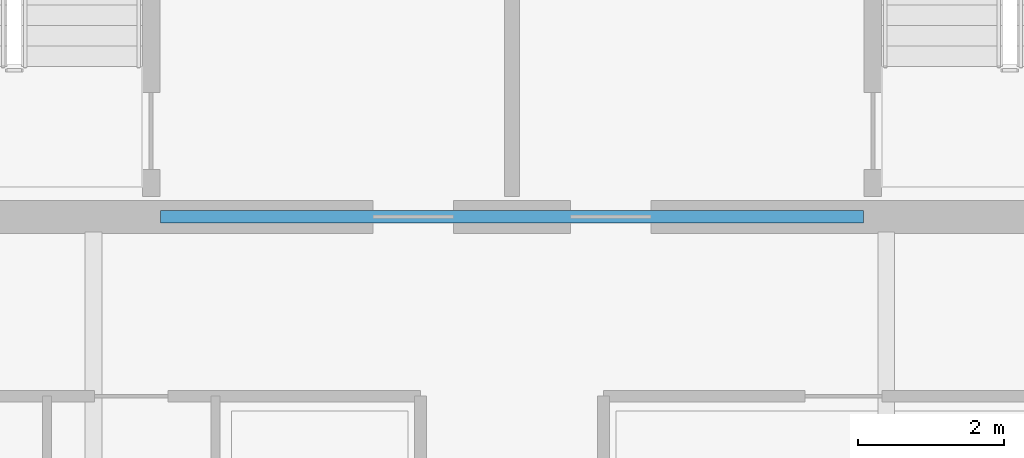
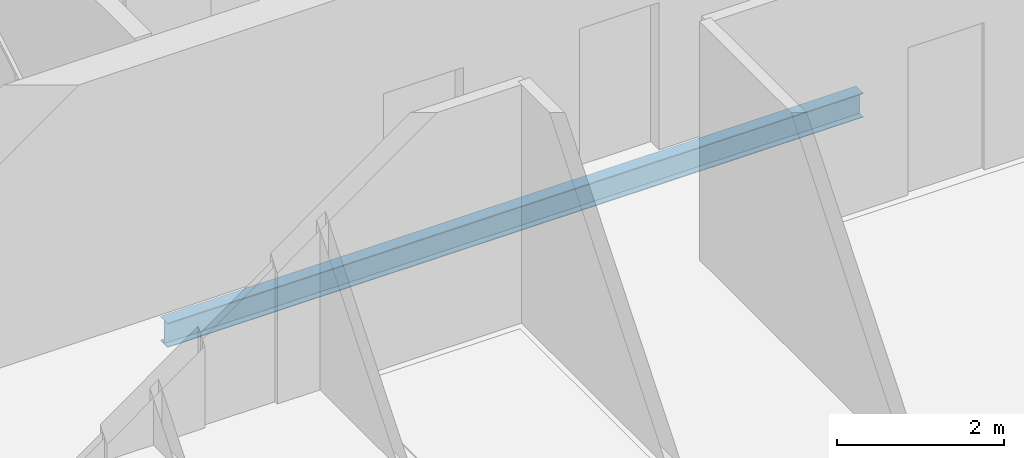
# One storey, part 7 of 28: 1 beam.
"""IFC4 building model written with IfcOpenShell, lengths in metres."""

from ifc_helpers import new_model, si_unit, direction, frame, origin, origin_2d, place, context, subcontext, project, spatial, i_section, extrude, material, material_profile, profile_set, type_object, element, save


model = new_model("IFC4")

# Units and contexts
model_context = context("Model", 3, precision=1e-05, world=origin(), true_north=direction((0.0, 1.0)))
body_context = subcontext(model_context, "Body", "Model", "MODEL_VIEW")
ifc_project = project(units=[si_unit("LENGTHUNIT", "METRE"), si_unit("AREAUNIT", "SQUARE_METRE"), si_unit("VOLUMEUNIT", "CUBIC_METRE"), si_unit("PLANEANGLEUNIT", "RADIAN"), si_unit("MASSUNIT", "GRAM", prefix="KILO")], contexts=[model_context])

# Site, building, storey
site_placement = place(None, origin())
site = spatial("IfcSite", under=ifc_project, at=site_placement, CompositionType="ELEMENT")
building_placement = place(site_placement, origin())
building = spatial("IfcBuilding", under=site, at=building_placement, Name="Haldenkirk Collegiate Tower", CompositionType="ELEMENT")
storey_placement = place(building_placement, frame((0.0, 0.0, 286.199951171875)))
storey = spatial("IfcBuildingStorey", under=building, at=storey_placement, Name="L72", CompositionType="ELEMENT", Elevation=286.199951171875)

# Beam
ifc_material = material(Name="Steel ASTM A992 Grade 50", Category="steel")
ifc_material_profile = material_profile(ifc_material, i_section(OverallWidth=0.1708984375, OverallDepth=0.35595703125, WebThickness=0.007080078125, FlangeThickness=0.01171875, at=origin_2d()), Name="W14X34")
ifc_profile_set = profile_set([ifc_material_profile], Name="Steel ASTM A992 Grade 50")
beam_type = type_object("IfcBeamType", Name="BM-LINTEL-W14X34", PredefinedType="LINTEL", material=ifc_profile_set)
beam_placement = place(storey_placement, frame((31.199951171875, 18.0, -0.447998046875), z_axis=(1.0, 0.0, 0.0), x_axis=(0.0, 1.0, 0.0)))
element("IfcBeam", 1, at=beam_placement, inside=storey, type_object=beam_type, Name="L72 south core coupling lintel", PredefinedType="LINTEL", context=body_context, shape_type="SweptSolid", body=[
    extrude(i_section(OverallWidth=0.1708984375, OverallDepth=0.35595703125, WebThickness=0.007080078125, FlangeThickness=0.01171875, at=origin_2d()), origin(), (0.0, 0.0, 1.0), 9.60009765625),
])

save(model, "model.ifc")
